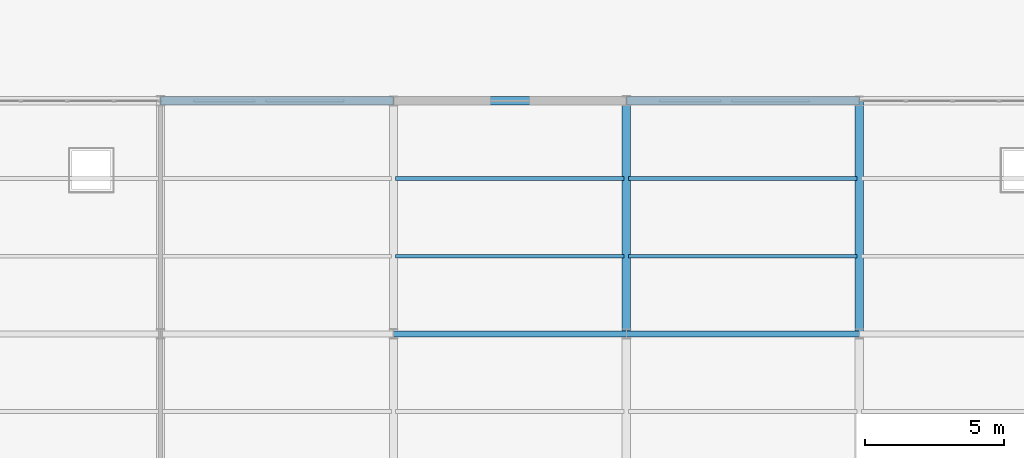
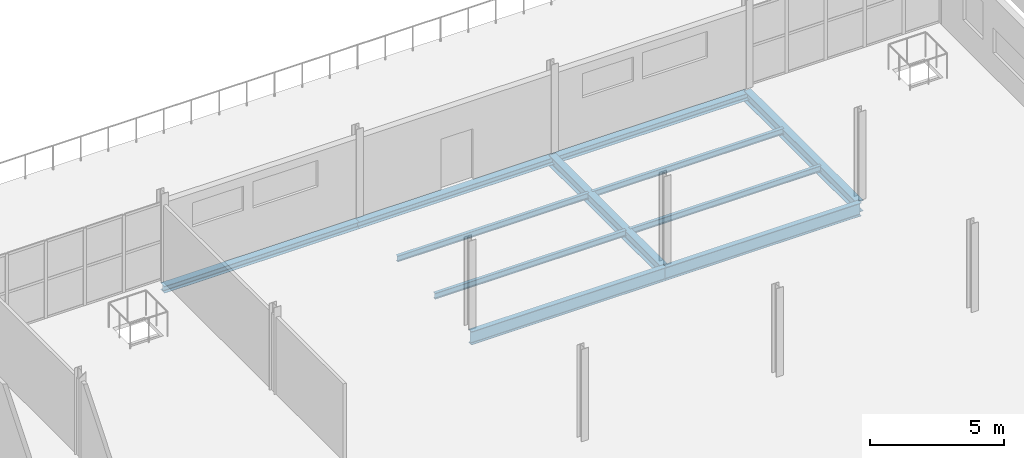
# One storey, part 125 of 184: 11 beams.
"""IFC4 building model written with IfcOpenShell, lengths in metres."""

from ifc_helpers import new_model, si_unit, direction, frame, origin, origin_2d, place, context, subcontext, project, spatial, i_section, extrude, material, material_profile, profile_set, type_object, element, save


model = new_model("IFC4")

# Units and contexts
model_context = context("Model", 3, precision=1e-05, world=origin(), true_north=direction((0.0, 1.0)))
body_context = subcontext(model_context, "Body", "Model", "MODEL_VIEW")
ifc_project = project(units=[si_unit("LENGTHUNIT", "METRE"), si_unit("AREAUNIT", "SQUARE_METRE"), si_unit("VOLUMEUNIT", "CUBIC_METRE"), si_unit("PLANEANGLEUNIT", "RADIAN"), si_unit("MASSUNIT", "GRAM", prefix="KILO")], contexts=[model_context])

# Site, building, storey
site_placement = place(None, origin())
site = spatial("IfcSite", under=ifc_project, at=site_placement, CompositionType="ELEMENT")
building_placement = place(site_placement, origin())
building = spatial("IfcBuilding", under=site, at=building_placement, Name="Qalvenar Corner Mobility Hub", CompositionType="ELEMENT")
storey_placement = place(building_placement, frame((0.0, 0.0, 9.0)))
storey = spatial("IfcBuildingStorey", under=building, at=storey_placement, Name="L02", CompositionType="ELEMENT", Elevation=9.0)

# Beams
ifc_material = material(Name="Steel S355", Category="steel")
ifc_material_profile_1 = material_profile(ifc_material, i_section(OverallWidth=0.300048828125, OverallDepth=0.489990234375, WebThickness=0.011962890625, FlangeThickness=0.02294921875, FilletRadius=0.027099609375, at=origin_2d()), Name="HEA500")
ifc_profile_set_1 = profile_set([ifc_material_profile_1], Name="Steel S355")
beam_type_1 = type_object("IfcBeamType", Name="BM-HEA500", PredefinedType="BEAM", material=ifc_profile_set_1)
for number, where, z_axis, x_axis, name in (
    (1, (151.199951171875, 33.60009765625, -0.425048828125), (0.0, 1.0, 0.0), (-1.0, 0.0, 0.0), "Primary Steel Girder GY-1740"),
    (2, (159.60009765625, 33.60009765625, -0.425048828125), (0.0, 1.0, 0.0), (-1.0, 0.0, 0.0), "Primary Steel Girder GY-1745"),
):
    element("IfcBeam", number, at=place(storey_placement, frame(where, z_axis=z_axis, x_axis=x_axis)), inside=storey, type_object=beam_type_1, Name=name, PredefinedType="BEAM", context=body_context, shape_type="SweptSolid", body=[
        extrude(i_section(OverallWidth=0.300048828125, OverallDepth=0.489990234375, WebThickness=0.011962890625, FlangeThickness=0.02294921875, FilletRadius=0.027099609375, at=origin_2d()), origin(), (0.0, 0.0, 1.0), 8.39990234375),
    ])
ifc_material_profile_2 = material_profile(ifc_material, i_section(OverallWidth=0.219970703125, OverallDepth=0.60009765625, WebThickness=0.011962890625, FlangeThickness=0.01904296875, FilletRadius=0.02392578125, at=origin_2d()), Name="IPE600")
ifc_profile_set_2 = profile_set([ifc_material_profile_2], Name="Steel S355")
beam_type_2 = type_object("IfcBeamType", Name="BM-IPE600", PredefinedType="BEAM", material=ifc_profile_set_2)
beam_1_placement = place(storey_placement, frame((142.800048828125, 33.60009765625, -0.47998046875), z_axis=(1.0, 0.0, 0.0), x_axis=(0.0, 1.0, 0.0)))
element("IfcBeam", 3, at=beam_1_placement, inside=storey, type_object=beam_type_2, Name="Primary Steel Girder GX-1701", PredefinedType="BEAM", context=body_context, shape_type="SweptSolid", body=[
    extrude(i_section(OverallWidth=0.219970703125, OverallDepth=0.60009765625, WebThickness=0.011962890625, FlangeThickness=0.01904296875, FilletRadius=0.02392578125, at=origin_2d()), origin(), (0.0, 0.0, 1.0), 8.39990234375),
])
beam_2_placement = place(storey_placement, frame((151.199951171875, 33.60009765625, -0.47998046875), z_axis=(1.0, 0.0, 0.0), x_axis=(0.0, 1.0, 0.0)))
element("IfcBeam", 4, at=beam_2_placement, inside=storey, type_object=beam_type_2, Name="Primary Steel Girder GX-1702", PredefinedType="BEAM", context=body_context, shape_type="SweptSolid", body=[
    extrude(i_section(OverallWidth=0.219970703125, OverallDepth=0.60009765625, WebThickness=0.011962890625, FlangeThickness=0.01904296875, FilletRadius=0.02392578125, at=origin_2d()), origin(), (0.0, 0.0, 1.0), 8.400146484375),
])
ifc_material_profile_3 = material_profile(ifc_material, i_section(OverallWidth=0.135009765625, OverallDepth=0.27001953125, WebThickness=0.006591796875, FlangeThickness=0.01025390625, FilletRadius=0.014892578125, at=origin_2d()), Name="IPE270")
ifc_profile_set_3 = profile_set([ifc_material_profile_3], Name="Steel S355")
beam_type_3 = type_object("IfcBeamType", Name="BM-JST270", PredefinedType="JOIST", material=ifc_profile_set_3)
for number, where, z_axis, x_axis, name in (
    (5, (142.8779296875, 36.39990234375, -0.31494140625), (1.0, 0.0, 0.0), (0.0, 1.0, 0.0), "Composite Floor Joist J-1797"),
    (6, (142.8779296875, 39.199951171875, -0.31494140625), (1.0, 0.0, 0.0), (0.0, 1.0, 0.0), "Composite Floor Joist J-1798"),
):
    element("IfcBeam", number, at=place(storey_placement, frame(where, z_axis=z_axis, x_axis=x_axis)), inside=storey, type_object=beam_type_3, Name=name, PredefinedType="JOIST", context=body_context, shape_type="SweptSolid", body=[
        extrude(i_section(OverallWidth=0.135009765625, OverallDepth=0.27001953125, WebThickness=0.006591796875, FlangeThickness=0.01025390625, FilletRadius=0.014892578125, at=origin_2d()), origin(), (0.0, 0.0, 1.0), 8.244140625),
    ])
for number, where, z_axis, x_axis, name in (
    (7, (151.278076171875, 36.39990234375, -0.31494140625), (1.0, 0.0, 0.0), (0.0, 1.0, 0.0), "Composite Floor Joist J-1807"),
    (8, (151.278076171875, 39.199951171875, -0.31494140625), (1.0, 0.0, 0.0), (0.0, 1.0, 0.0), "Composite Floor Joist J-1808"),
):
    element("IfcBeam", number, at=place(storey_placement, frame(where, z_axis=z_axis, x_axis=x_axis)), inside=storey, type_object=beam_type_3, Name=name, PredefinedType="JOIST", context=body_context, shape_type="SweptSolid", body=[
        extrude(i_section(OverallWidth=0.135009765625, OverallDepth=0.27001953125, WebThickness=0.006591796875, FlangeThickness=0.01025390625, FilletRadius=0.014892578125, at=origin_2d()), origin(), (0.0, 0.0, 1.0), 8.243896484375),
    ])
ifc_material_profile_4 = material_profile(ifc_material, i_section(OverallWidth=0.300048828125, OverallDepth=0.31005859375, WebThickness=0.009033203125, FlangeThickness=0.015380859375, FilletRadius=0.027099609375, at=origin_2d()), Name="HEA320")
ifc_profile_set_4 = profile_set([ifc_material_profile_4], Name="Steel S355")
beam_type_4 = type_object("IfcBeamType", Name="BM-SPN320", PredefinedType="SPANDREL", material=ifc_profile_set_4)
beam_3_placement = place(storey_placement, frame((134.39990234375, 42.0, -0.39697265625), z_axis=(1.0, 0.0, 0.0), x_axis=(0.0, 1.0, 0.0)))
element("IfcBeam", 9, at=beam_3_placement, inside=storey, type_object=beam_type_4, Name="Primary Steel Girder GX-1707", PredefinedType="SPANDREL", context=body_context, shape_type="SweptSolid", body=[
    extrude(i_section(OverallWidth=0.300048828125, OverallDepth=0.31005859375, WebThickness=0.009033203125, FlangeThickness=0.015380859375, FilletRadius=0.027099609375, at=origin_2d()), origin(), (0.0, 0.0, 1.0), 8.400146484375),
])
beam_4_placement = place(storey_placement, frame((142.800048828125, 42.0, -0.39697265625), z_axis=(1.0, 0.0, 0.0), x_axis=(0.0, 1.0, 0.0)))
element("IfcBeam", 10, at=beam_4_placement, inside=storey, type_object=beam_type_4, Name="Primary Steel Girder GX-1708", PredefinedType="SPANDREL", context=body_context, shape_type="SweptSolid", body=[
    extrude(i_section(OverallWidth=0.300048828125, OverallDepth=0.31005859375, WebThickness=0.009033203125, FlangeThickness=0.015380859375, FilletRadius=0.027099609375, at=origin_2d()), origin(), (0.0, 0.0, 1.0), 8.39990234375),
])
beam_5_placement = place(storey_placement, frame((151.199951171875, 42.0, -0.39697265625), z_axis=(1.0, 0.0, 0.0), x_axis=(0.0, 1.0, 0.0)))
element("IfcBeam", 11, at=beam_5_placement, inside=storey, type_object=beam_type_4, Name="Primary Steel Girder GX-1709", PredefinedType="SPANDREL", context=body_context, shape_type="SweptSolid", body=[
    extrude(i_section(OverallWidth=0.300048828125, OverallDepth=0.31005859375, WebThickness=0.009033203125, FlangeThickness=0.015380859375, FilletRadius=0.027099609375, at=origin_2d()), origin(), (0.0, 0.0, 1.0), 8.400146484375),
])

save(model, "model.ifc")
